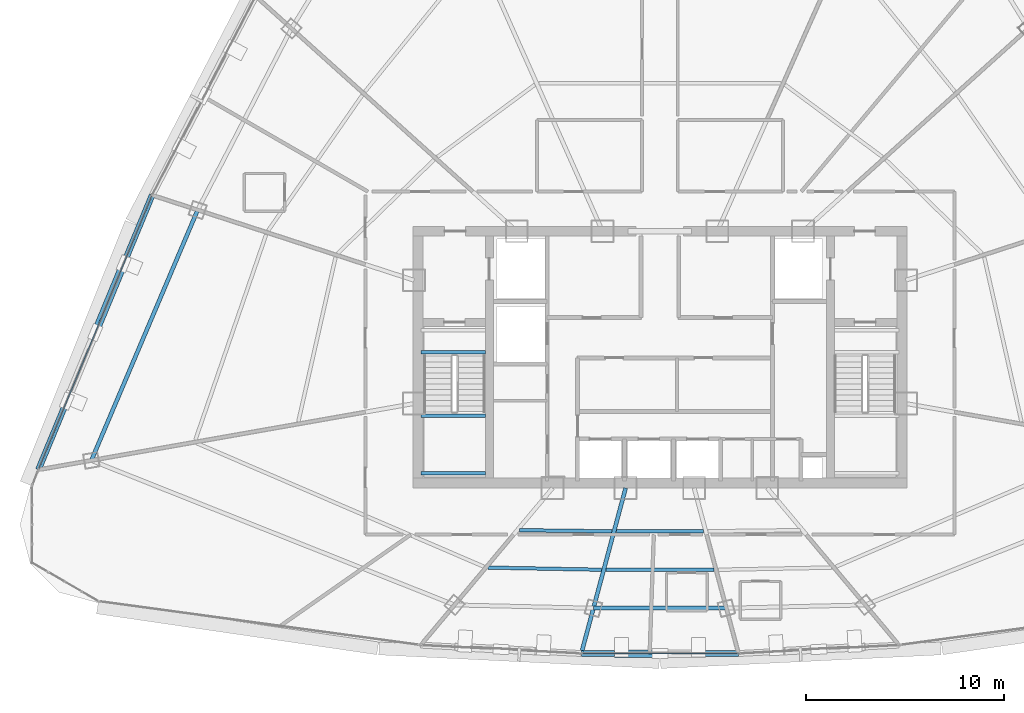
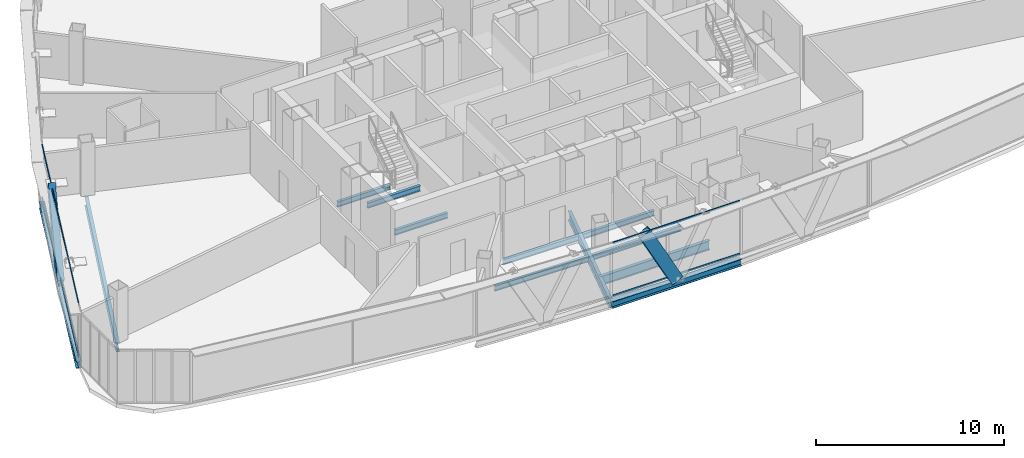
# One storey, part 7 of 39: 12 beams, 6 members, 2 elements without a shape of their own.
"""IFC4 building model written with IfcOpenShell, lengths in metres."""

from ifc_helpers import new_model, si_unit, direction, frame, origin, origin_2d, place, context, subcontext, project, spatial, hollow_rectangle, i_section, extrude, source, transform, mapped, material, layer, layer_set, material_profile, profile_set, type_object, element, aggregate, save


model = new_model("IFC4")

# Units and contexts
model_context = context("Model", 3, precision=1e-05, world=origin(), true_north=direction((0.0, 1.0)))
body_context = subcontext(model_context, "Body", "Model", "MODEL_VIEW")
ifc_project = project(units=[si_unit("LENGTHUNIT", "METRE"), si_unit("AREAUNIT", "SQUARE_METRE"), si_unit("VOLUMEUNIT", "CUBIC_METRE"), si_unit("PLANEANGLEUNIT", "RADIAN"), si_unit("MASSUNIT", "GRAM", prefix="KILO"), si_unit("THERMODYNAMICTEMPERATUREUNIT", "KELVIN"), si_unit("POWERUNIT", "WATT")], contexts=[model_context])

# Site, building, storey
site_placement = place(None, origin())
site = spatial("IfcSite", under=ifc_project, at=site_placement, CompositionType="ELEMENT")
building_placement = place(site_placement, origin())
building = spatial("IfcBuilding", under=site, at=building_placement, Name="Yunzhuo Pagoda Commons", CompositionType="ELEMENT")
storey_placement = place(building_placement, frame((0.0, 0.0, 296.2099609375)))
storey = spatial("IfcBuildingStorey", under=building, at=storey_placement, Name="L74", CompositionType="ELEMENT", Elevation=296.2099609375)

# Beams
ifc_material_1 = material(Name="Structural steel Q355B", Category="steel")
ifc_material_profile_1 = material_profile(ifc_material_1, i_section(OverallWidth=0.175048828125, OverallDepth=0.35009765625, WebThickness=0.007080078125, FlangeThickness=0.010986328125, at=origin_2d()), Name="Structural steel Q355B")
ifc_profile_set_1 = profile_set([ifc_material_profile_1], Name="Structural steel Q355B")
beam_type_1 = type_object("IfcBeamType", Name="B-JS2 Joist HN 350x175x7x11", PredefinedType="JOIST", material=ifc_profile_set_1)
shared_shape_1 = source(origin(), body_context, "Body", "SweptSolid", [
    extrude(i_section(OverallWidth=0.175048828125, OverallDepth=0.35009765625, WebThickness=0.007080078125, FlangeThickness=0.010986328125, at=origin_2d()), origin(), (0.0, 0.0, 1.0), 3.25),
])
for number, where, z_axis, x_axis, name in (
    (1, (35.949951171875, 28.0, 1.489990234375), (1.0, 0.0, 0.0), (0.0, 1.0, 0.0), "L74 ST1 landing support beam 80A"),
    (2, (35.949951171875, 30.89990234375, 1.489990234375), (1.0, 0.0, 0.0), (0.0, 1.0, 0.0), "L74 ST1 landing support beam 80B"),
    (3, (35.949951171875, 34.10009765625, -0.375), (1.0, 0.0, 0.0), (0.0, 1.0, 0.0), "L74 ST1 landing support beam 178A"),
):
    element("IfcBeam", number, at=place(storey_placement, frame(where, z_axis=z_axis, x_axis=x_axis)), inside=storey, type_object=beam_type_1, Name=name, PredefinedType="JOIST", context=body_context, shape_type="MappedRepresentation", body=[
        mapped(shared_shape_1, transform((0.0, 0.0, 0.0), scale=1.0)),
    ])
shared_shape_2 = source(origin(), body_context, "Body", "SweptSolid", [
    extrude(i_section(OverallWidth=0.175048828125, OverallDepth=0.35009765625, WebThickness=0.007080078125, FlangeThickness=0.010986328125, at=origin_2d()), origin(), (0.0, 0.0, 1.0), 4.64892578125),
])
beam_1_placement = place(storey_placement, frame((40.924072265625, 25.12890625, -0.43505859375), z_axis=(0.999924495467, -0.012288342626, 0.0), x_axis=(0.012288342626, 0.999924495467, 0.0)))
element("IfcBeam", 4, at=beam_1_placement, inside=storey, type_object=beam_type_1, Name="L74 composite ring joist 1.1", PredefinedType="JOIST", context=body_context, shape_type="MappedRepresentation", body=[
    mapped(shared_shape_2, transform((0.0, 0.0, 0.0), scale=1.0)),
])
shared_shape_3 = source(origin(), body_context, "Body", "SweptSolid", [
    extrude(i_section(OverallWidth=0.175048828125, OverallDepth=0.35009765625, WebThickness=0.007080078125, FlangeThickness=0.010986328125, at=origin_2d()), origin(), (0.0, 0.0, 1.0), 5.711669921875),
])
beam_2_placement = place(storey_placement, frame((39.343017578125, 23.24365234375, -0.43505859375), z_axis=(0.999819084998, -0.019020969297, 0.0), x_axis=(0.019020969297, 0.999819084998, 0.0)))
element("IfcBeam", 5, at=beam_2_placement, inside=storey, type_object=beam_type_1, Name="L74 composite ring joist 2.1", PredefinedType="JOIST", context=body_context, shape_type="MappedRepresentation", body=[
    mapped(shared_shape_3, transform((0.0, 0.0, 0.0), scale=1.0)),
])
ifc_material_profile_2 = material_profile(ifc_material_1, i_section(OverallWidth=0.199951171875, OverallDepth=0.60009765625, WebThickness=0.010986328125, FlangeThickness=0.01708984375, at=origin_2d()), Name="Structural steel Q355B")
ifc_profile_set_2 = profile_set([ifc_material_profile_2], Name="Structural steel Q355B")
beam_type_2 = type_object("IfcBeamType", Name="B-RG3 Beam HN 600x200x11x17", PredefinedType="BEAM", material=ifc_profile_set_2)
shared_shape_4 = source(origin(), body_context, "Body", "SweptSolid", [
    extrude(i_section(OverallWidth=0.199951171875, OverallDepth=0.60009765625, WebThickness=0.010986328125, FlangeThickness=0.01708984375, at=origin_2d()), origin(), (0.0, 0.0, 1.0), 6.701171875),
])
beam_3_placement = place(storey_placement, frame((44.6494140625, 21.195556640625, -0.56005859375), z_axis=(1.0, 0.0, 0.0), x_axis=(0.0, 1.0, 0.0)))
element("IfcBeam", 6, at=beam_3_placement, inside=storey, type_object=beam_type_2, Name="L74 column-ring beam 2", PredefinedType="BEAM", context=body_context, shape_type="MappedRepresentation", body=[
    mapped(shared_shape_4, transform((0.0, 0.0, 0.0), scale=1.0)),
])
shared_shape_5 = source(origin(), body_context, "Body", "SweptSolid", [
    extrude(i_section(OverallWidth=0.175048828125, OverallDepth=0.35009765625, WebThickness=0.007080078125, FlangeThickness=0.010986328125, at=origin_2d()), origin(), (0.0, 0.0, 1.0), 4.39453125),
])
beam_4_placement = place(storey_placement, frame((45.802734375, 25.070556640625, -0.43505859375), z_axis=(1.0, 0.0, 0.0), x_axis=(0.0, 1.0, 0.0)))
element("IfcBeam", 7, at=beam_4_placement, inside=storey, type_object=beam_type_1, Name="L74 composite ring joist 1.2", PredefinedType="JOIST", context=body_context, shape_type="MappedRepresentation", body=[
    mapped(shared_shape_5, transform((0.0, 0.0, 0.0), scale=1.0)),
])
shared_shape_6 = source(origin(), body_context, "Body", "SweptSolid", [
    extrude(i_section(OverallWidth=0.175048828125, OverallDepth=0.35009765625, WebThickness=0.007080078125, FlangeThickness=0.010986328125, at=origin_2d()), origin(), (0.0, 0.0, 1.0), 5.43310546875),
])
beam_5_placement = place(storey_placement, frame((45.283447265625, 23.133056640625, -0.43505859375), z_axis=(1.0, 0.0, 0.0), x_axis=(0.0, 1.0, 0.0)))
element("IfcBeam", 8, at=beam_5_placement, inside=storey, type_object=beam_type_1, Name="L74 composite ring joist 2.2", PredefinedType="JOIST", context=body_context, shape_type="MappedRepresentation", body=[
    mapped(shared_shape_6, transform((0.0, 0.0, 0.0), scale=1.0)),
])
shared_shape_7 = source(origin(), body_context, "Body", "SweptSolid", [
    extrude(i_section(OverallWidth=0.199951171875, OverallDepth=0.60009765625, WebThickness=0.010986328125, FlangeThickness=0.01708984375, at=origin_2d()), origin(), (0.0, 0.0, 1.0), 13.715576171875),
])
beam_6_placement = place(storey_placement, frame((24.697509765625, 41.271484375, -0.56005859375), z_axis=(-0.390733146992, -0.920503996646, 0.0), x_axis=(0.920503996646, -0.390733146992, 0.0)))
element("IfcBeam", 9, at=beam_6_placement, inside=storey, type_object=beam_type_2, Name="L74 column-ring beam 11", PredefinedType="BEAM", context=body_context, shape_type="MappedRepresentation", body=[
    mapped(shared_shape_7, transform((0.0, 0.0, 0.0), scale=1.0)),
])
shared_shape_8 = source(origin(), body_context, "Body", "SweptSolid", [
    extrude(i_section(OverallWidth=0.199951171875, OverallDepth=0.60009765625, WebThickness=0.010986328125, FlangeThickness=0.01708984375, at=origin_2d()), origin(), (0.0, 0.0, 1.0), 8.478759765625),
])
beam_7_placement = place(storey_placement, frame((44.077392578125, 19.060302734375, -0.56005859375), z_axis=(0.258836355835, 0.965921187726, 0.0), x_axis=(-0.965921187726, 0.258836355835, 0.0)))
element("IfcBeam", 10, at=beam_7_placement, inside=storey, type_object=beam_type_2, Name="L74 radial floor girder F1C2", PredefinedType="BEAM", context=body_context, shape_type="MappedRepresentation", body=[
    mapped(shared_shape_8, transform((0.0, 0.0, 0.0), scale=1.0)),
])
ifc_material_profile_3 = material_profile(ifc_material_1, i_section(OverallWidth=0.300048828125, OverallDepth=0.43994140625, WebThickness=0.010986328125, FlangeThickness=0.01806640625, at=origin_2d()), Name="Structural steel Q355B")
ifc_profile_set_3 = profile_set([ifc_material_profile_3], Name="Structural steel Q355B")
beam_type_3 = type_object("IfcBeamType", Name="B-SP2 Beam HM 440x300x11x18", PredefinedType="BEAM", material=ifc_profile_set_3)
shared_shape_9 = source(origin(), body_context, "Body", "SweptSolid", [
    extrude(i_section(OverallWidth=0.300048828125, OverallDepth=0.43994140625, WebThickness=0.010986328125, FlangeThickness=0.01806640625, at=origin_2d()), origin(), (0.0, 0.0, 1.0), 7.92578125),
])
beam_8_placement = place(storey_placement, frame((44.037109375, 18.910888671875, -0.479736328125), z_axis=(1.0, 0.0, 0.0), x_axis=(0.0, 1.0, 0.0)))
element("IfcBeam", 11, at=beam_8_placement, inside=storey, type_object=beam_type_3, Name="L74 facade edge spandrel beam F1.2", PredefinedType="BEAM", context=body_context, shape_type="MappedRepresentation", body=[
    mapped(shared_shape_9, transform((0.0, 0.0, 0.0), scale=1.0)),
])
shared_shape_10 = source(origin(), body_context, "Body", "SweptSolid", [
    extrude(i_section(OverallWidth=0.300048828125, OverallDepth=0.43994140625, WebThickness=0.010986328125, FlangeThickness=0.01806640625, at=origin_2d()), origin(), (0.0, 0.0, 1.0), 14.982421875),
])
beam_9_placement = place(storey_placement, frame((22.40087890625, 42.017578125, -0.479736328125), z_axis=(-0.382626675999, -0.923903039725, 0.0), x_axis=(0.923903039725, -0.382626675999, 0.0)))
element("IfcBeam", 12, at=beam_9_placement, inside=storey, type_object=beam_type_3, Name="L74 facade edge spandrel beam F3.3", PredefinedType="BEAM", context=body_context, shape_type="MappedRepresentation", body=[
    mapped(shared_shape_10, transform((0.0, 0.0, 0.0), scale=1.0)),
])

# Members
ifc_material_profile_4 = material_profile(ifc_material_1, hollow_rectangle(XDim=0.3798828125, YDim=0.719970703125, WallThickness=0.02001953125, at=origin_2d()), Name="Structural steel Q355B")
ifc_profile_set_4 = profile_set([ifc_material_profile_4], Name="Structural steel Q355B")
member_type_1 = type_object("IfcMemberType", Name="M-DL3 Brace BOX 720x380x20", PredefinedType="BRACE", material=ifc_profile_set_4)
shared_shape_11 = source(origin(), body_context, "Body", "SweptSolid", [
    extrude(hollow_rectangle(XDim=0.3798828125, YDim=0.719970703125, WallThickness=0.02001953125, at=origin_2d()), origin(), (0.0, 0.0, 1.0), 4.2236328125),
])
member_1_placement = place(storey_placement, frame((48.0, 18.910888671875, -0.260009765625), z_axis=(-0.469135503, 0.0, 0.883126196998), x_axis=(0.0, -1.0, 0.0)))
element("IfcMember", 13, at=member_1_placement, inside=storey, type_object=member_type_1, Name="L74 facade diamond brace F1.2L", PredefinedType="BRACE", context=body_context, shape_type="MappedRepresentation", body=[
    mapped(shared_shape_11, transform((0.0, 0.0, 0.0), scale=1.0)),
])
shared_shape_12 = source(origin(), body_context, "Body", "SweptSolid", [
    extrude(hollow_rectangle(XDim=0.3798828125, YDim=0.719970703125, WallThickness=0.02001953125, at=origin_2d()), origin(), (0.0, 0.0, 1.0), 5.285888671875),
])
member_2_placement = place(storey_placement, frame((19.53466796875, 35.0966796875, -0.260009765625), z_axis=(0.27111603454, 0.654650540643, 0.705640677293), x_axis=(-0.923904028933, 0.382624287416, 0.0)))
element("IfcMember", 14, at=member_2_placement, inside=storey, type_object=member_type_1, Name="L74 facade diamond brace F3.3L", PredefinedType="BRACE", context=body_context, shape_type="MappedRepresentation", body=[
    mapped(shared_shape_12, transform((0.0, 0.0, 0.0), scale=1.0)),
])

# Curtain wall, members
ifc_material_2 = material(Name="Anodized aluminium 6063-T6", Category="aluminium")
ifc_layer = layer(ifc_material_2, 0.139892578125)
ifc_layer_set = layer_set([ifc_layer], Name="Anodized aluminium 6063-T6")
curtain_wall_type = type_object("IfcCurtainWallType", Name="CW-HI High-Zone Ribbon Curtain Wall", PredefinedType="NOTDEFINED", material=ifc_layer_set)
curtain_wall_1_placement = place(storey_placement, origin())
curtain_wall_1 = element("IfcCurtainWall", 15, at=curtain_wall_1_placement, inside=storey, type_object=curtain_wall_type, Name="L74 curtain wall CW-L74-F1B3", PredefinedType="NOTDEFINED")
ifc_material_profile_5 = material_profile(ifc_material_2, hollow_rectangle(XDim=0.054931640625, YDim=0.1201171875, WallThickness=0.00341796875, at=origin_2d()), Name="Anodized aluminium 6063-T6")
ifc_profile_set_5 = profile_set([ifc_material_profile_5], Name="Anodized aluminium 6063-T6")
member_type_2 = type_object("IfcMemberType", Name="CW-HI-T Transom RHS 120x55x3.5", PredefinedType="USERDEFINED", material=ifc_profile_set_5)
shared_shape_13 = source(origin(), body_context, "Body", "SweptSolid", [
    extrude(hollow_rectangle(XDim=0.054931640625, YDim=0.1201171875, WallThickness=0.00341796875, at=origin_2d()), origin(), (0.0, 0.0, 1.0), 7.8056640625),
])
member_3_placement = place(storey_placement, frame((44.09716796875, 18.910888671875, 0.027587890625), z_axis=(1.0, 0.0, 0.0), x_axis=(0.0, 1.0, 0.0)))
member_3 = element("IfcMember", 16, at=member_3_placement, type_object=member_type_2, Name="CW transom 1.1", ObjectType="TRANSOM", PredefinedType="USERDEFINED", context=body_context, shape_type="MappedRepresentation", body=[
    mapped(shared_shape_13, transform((0.0, 0.0, 0.0), scale=1.0)),
])
member_4_placement = place(storey_placement, frame((44.09716796875, 18.910888671875, 3.442626953125), z_axis=(1.0, 0.0, 0.0), x_axis=(0.0, 1.0, 0.0)))
member_4 = element("IfcMember", 17, at=member_4_placement, type_object=member_type_2, Name="CW transom 1.2", ObjectType="TRANSOM", PredefinedType="USERDEFINED", context=body_context, shape_type="MappedRepresentation", body=[
    mapped(shared_shape_13, transform((0.0, 0.0, 0.0), scale=1.0)),
])
aggregate(curtain_wall_1, [member_3, member_4])

curtain_wall_2_placement = place(storey_placement, origin())
curtain_wall_2 = element("IfcCurtainWall", 18, at=curtain_wall_2_placement, inside=storey, type_object=curtain_wall_type, Name="L74 curtain wall CW-L74-F3B4", PredefinedType="NOTDEFINED")
shared_shape_14 = source(origin(), body_context, "Body", "SweptSolid", [
    extrude(hollow_rectangle(XDim=0.054931640625, YDim=0.1201171875, WallThickness=0.00341796875, at=origin_2d()), origin(), (0.0, 0.0, 1.0), 14.862548828125),
])
member_5_placement = place(storey_placement, frame((22.3779296875, 41.962158203125, 0.027587890625), z_axis=(-0.382626960401, -0.923902921943, 0.0), x_axis=(0.923902921943, -0.382626960401, 0.0)))
member_5 = element("IfcMember", 19, at=member_5_placement, type_object=member_type_2, Name="CW transom 1.1", ObjectType="TRANSOM", PredefinedType="USERDEFINED", context=body_context, shape_type="MappedRepresentation", body=[
    mapped(shared_shape_14, transform((0.0, 0.0, 0.0), scale=1.0)),
])
member_6_placement = place(storey_placement, frame((22.3779296875, 41.962158203125, 3.442626953125), z_axis=(-0.382626960401, -0.923902921943, 0.0), x_axis=(0.923902921943, -0.382626960401, 0.0)))
member_6 = element("IfcMember", 20, at=member_6_placement, type_object=member_type_2, Name="CW transom 1.2", ObjectType="TRANSOM", PredefinedType="USERDEFINED", context=body_context, shape_type="MappedRepresentation", body=[
    mapped(shared_shape_14, transform((0.0, 0.0, 0.0), scale=1.0)),
])
aggregate(curtain_wall_2, [member_5, member_6])

save(model, "model.ifc")
